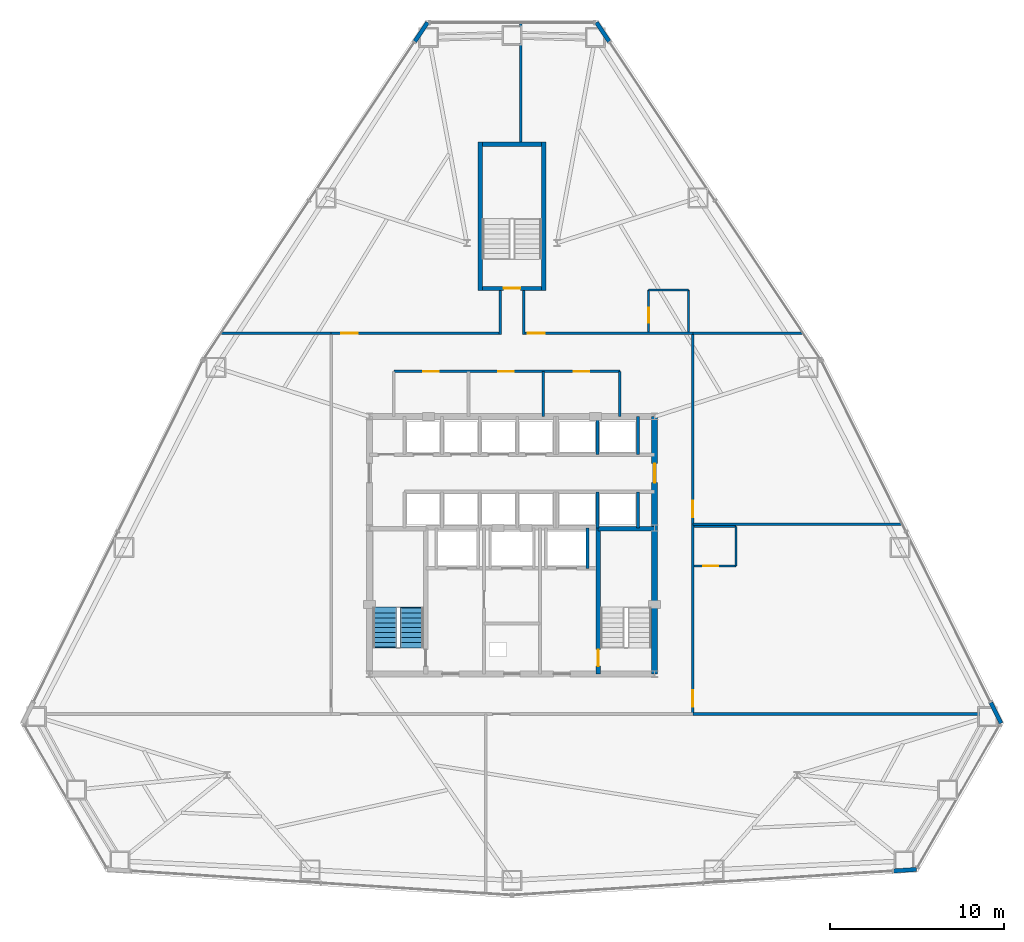
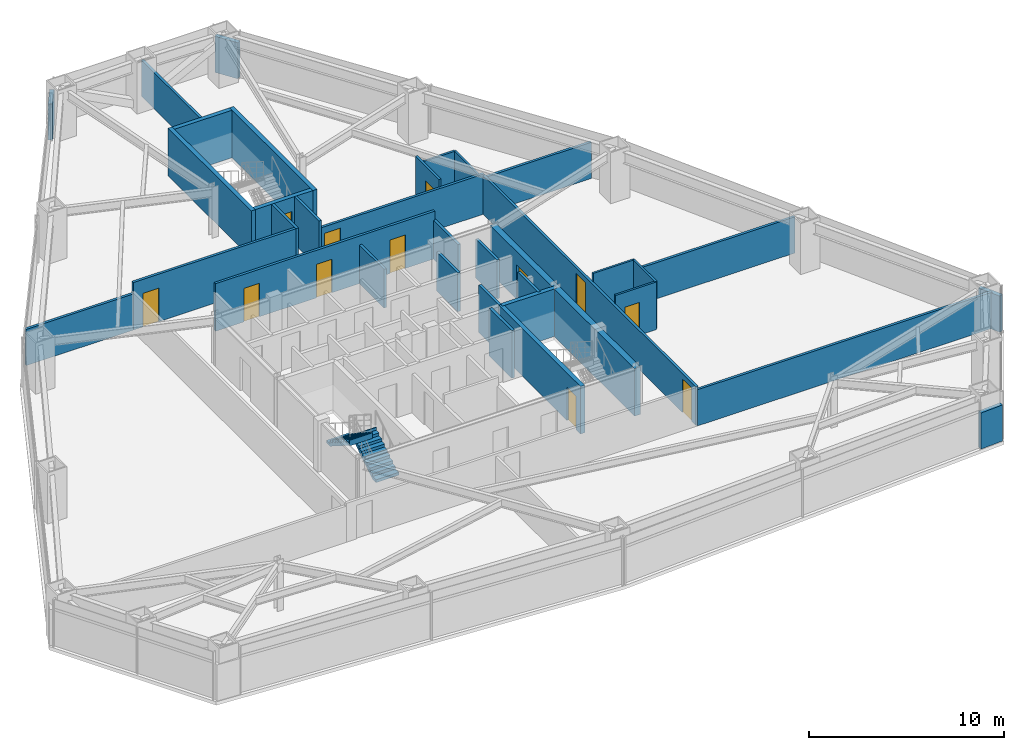
# One storey, part 10 of 12: 35 walls, 12 doors, 2 stair flights, 12 openings, 1 element without a shape of its own.
"""IFC4 building model written with IfcOpenShell, lengths in metres."""

from ifc_helpers import new_model, si_unit, direction, frame, frame_2d, origin, place, context, subcontext, project, spatial, polyline, rectangle, outline, extrude, material, layer, layer_set, type_object, element, fill, aggregate, save


model = new_model("IFC4")

# Units and contexts
model_context = context("Model", 3, precision=1e-05, world=origin(), true_north=direction((0.0, 1.0)))
body_context = subcontext(model_context, "Body", "Model", "MODEL_VIEW")
ifc_project = project(units=[si_unit("LENGTHUNIT", "METRE"), si_unit("AREAUNIT", "SQUARE_METRE"), si_unit("VOLUMEUNIT", "CUBIC_METRE"), si_unit("PLANEANGLEUNIT", "RADIAN"), si_unit("MASSUNIT", "GRAM", prefix="KILO")], contexts=[model_context])

# Site, building, storey
site_placement = place(None, origin())
site = spatial("IfcSite", under=ifc_project, at=site_placement, CompositionType="ELEMENT")
building_placement = place(site_placement, origin())
building = spatial("IfcBuilding", under=site, at=building_placement, Name="Varakhsha Concourse Tower", CompositionType="ELEMENT")
storey_placement = place(building_placement, frame((0.0, 0.0, 62.39990234375)))
storey = spatial("IfcBuildingStorey", under=building, at=storey_placement, Name="L17", CompositionType="ELEMENT", Elevation=62.39990234375)

# Wall, opening, door
ifc_material_1 = material(Name="Concrete fc 65 MPa", Category="concrete")
ifc_layer_1 = layer(ifc_material_1, 0.35009765625, Name="WL-CORE-350")
ifc_layer_set_1 = layer_set([ifc_layer_1], Name="Concrete fc 65 MPa")
wall_type_1 = type_object("IfcWallType", Name="WL-CORE-350", PredefinedType="SHEAR", material=ifc_layer_set_1)
wall_1_placement = place(storey_placement, frame((48.199951171875, 16.39990234375, 0.0), z_axis=(0.0, 0.0, 1.0), x_axis=(0.0, 1.0, 0.0)))
wall_1 = element("IfcWall", 1, at=wall_1_placement, inside=storey, type_object=wall_type_1, Name="L17 Wall CWALL-E-L17", PredefinedType="SHEAR", context=body_context, shape_type="SweptSolid", body=[
    extrude(rectangle(XDim=14.800048828125, YDim=0.35009765625, at=frame_2d((7.39990234375, 0.0))), origin(), (0.0, 0.0, 1.0), 2.97998046875),
])
opening_1_placement = place(wall_1_placement, frame((11.0, 0.0, 0.0)))
opening_1 = element("IfcOpeningElement", 2, at=opening_1_placement, cuts=wall_1, Name="Opening DL-01", PredefinedType="OPENING", context=body_context, shape_type="SweptSolid", body=[
    extrude(rectangle(XDim=1.10009765625, YDim=2.14990234375, at=frame_2d((0.550048828125, 1.074951171875))), frame((0.0, 0.18505859375, 0.0), z_axis=(0.0, -1.0, 0.0), x_axis=(1.0, 0.0, 0.0)), (0.0, 0.0, 1.0), 0.3701171875),
])
ifc_material_2 = material(Name="Anodised Bronze Architectural Aluminium AA 6063-T6", Category="aluminium")
door_type_1 = type_object("IfcDoorType", Name="DR-LOB-1100", OperationType="NOTDEFINED", PredefinedType="DOOR", material=ifc_material_2)
door_1_placement = place(opening_1_placement, origin())
door_1 = element("IfcDoor", 3, at=door_1_placement, inside=storey, type_object=door_type_1, Name="L17 Lift Lobby East Concourse Door", OperationType="SINGLE_SWING_RIGHT", OverallHeight=2.14990234375, OverallWidth=1.10009765625, PredefinedType="DOOR", context=body_context, shape_type="SweptSolid", body=[
    extrude(rectangle(XDim=1.10009765625, YDim=2.14990234375, at=frame_2d((0.550048828125, 1.074951171875))), frame((0.0, 0.02490234375, 0.0), z_axis=(0.0, -1.0, 0.0), x_axis=(1.0, 0.0, 0.0)), (0.0, 0.0, 1.0), 0.050048828125),
])
fill(opening_1, door_1)

# Walls
ifc_material_3 = material(Name="Concrete fc 45 MPa", Category="concrete")
ifc_layer_2 = layer(ifc_material_3, 0.239990234375, Name="WL-EXT-CRN-240")
ifc_layer_set_2 = layer_set([ifc_layer_2], Name="Concrete fc 45 MPa")
wall_type_2 = type_object("IfcWallType", Name="WL-EXT-CRN-240", PredefinedType="SHEAR", material=ifc_layer_set_2)
wall_2_placement = place(storey_placement, frame((35.1435546875, 53.876220703125, 0.0), z_axis=(0.0, 0.0, 1.0), x_axis=(-0.553976279589, -0.832532450811, 0.0)))
element("IfcWall", 4, at=wall_2_placement, inside=storey, type_object=wall_type_2, Name="L17 Wind-Corner Shoulder Wall F2", PredefinedType="SHEAR", context=body_context, shape_type="SweptSolid", body=[
    extrude(rectangle(XDim=1.323486328125, YDim=0.239990234375, at=frame_2d((0.66162109375, 0.0))), origin(), (0.0, 0.0, 1.0), 2.26318359375),
])
wall_3_placement = place(storey_placement, frame((61.951171875, 5.072021484375, 0.0), z_axis=(0.0, 0.0, 1.0), x_axis=(0.997985265632, 0.063446115575, 0.0)))
element("IfcWall", 5, at=wall_3_placement, inside=storey, type_object=wall_type_2, Name="L17 Wind-Corner Shoulder Wall F6", PredefinedType="SHEAR", context=body_context, shape_type="SweptSolid", body=[
    extrude(rectangle(XDim=1.32373046875, YDim=0.239990234375, at=frame_2d((0.661865234375, 0.0))), origin(), (0.0, 0.0, 1.0), 2.26318359375),
])
for number, where, z_axis, x_axis, name in (
    (6, (68.128662109375, 13.56787109375, 0.0), (0.0, 0.0, 1.0), (-0.444037765369, 0.896008070793, 0.0), "L17 Wind-Corner Shoulder Wall F8"),
    (7, (45.589599609375, 52.7744140625, 0.0), (0.0, 0.0, 1.0), (-0.553976279589, 0.832532450811, 0.0), "L17 Wind-Corner Shoulder Wall F9"),
):
    element("IfcWall", number, at=place(storey_placement, frame(where, z_axis=z_axis, x_axis=x_axis)), inside=storey, type_object=wall_type_2, Name=name, PredefinedType="SHEAR", context=body_context, shape_type="SweptSolid", body=[
        extrude(rectangle(XDim=1.323486328125, YDim=0.239990234375, at=frame_2d((0.66162109375, 0.0))), origin(), (0.0, 0.0, 1.0), 2.26318359375),
    ])
ifc_material_4 = material(Name="Acoustic Gypsum Board Partition Assembly", Category="gypsum")
ifc_layer_3 = layer(ifc_material_4, 0.1201171875, Name="WL-PART-120")
ifc_layer_set_3 = layer_set([ifc_layer_3], Name="Acoustic Gypsum Board Partition Assembly")
wall_type_3 = type_object("IfcWallType", Name="WL-PART-120", PredefinedType="PARTITIONING", material=ifc_layer_set_3)
wall_4_placement = place(storey_placement, frame((52.889892578125, 22.610107421875, 0.0), z_axis=(0.0, 0.0, 1.0), x_axis=(0.0, 1.0, 0.0)))
element("IfcWall", 8, at=wall_4_placement, inside=storey, type_object=wall_type_3, Name="L17 Wall ENSW-E-L17-H04", PredefinedType="PARTITIONING", context=body_context, shape_type="SweptSolid", body=[
    extrude(rectangle(XDim=2.27978515625, YDim=0.1201171875, at=frame_2d((1.139892578125, 0.0))), origin(), (0.0, 0.0, 1.0), 2.97998046875),
])

# Wall, opening, door
wall_5_placement = place(storey_placement, frame((50.4599609375, 22.610107421875, 0.0), z_axis=(0.0, 0.0, 1.0), x_axis=(1.0, 0.0, 0.0)))
wall_5 = element("IfcWall", 9, at=wall_5_placement, inside=storey, type_object=wall_type_3, Name="L17 Wall ENSW-S-L17-H04", PredefinedType="PARTITIONING", context=body_context, shape_type="SweptSolid", body=[
    extrude(rectangle(XDim=2.429931640625, YDim=0.1201171875, at=frame_2d((1.21484375, 0.0))), origin(), (0.0, 0.0, 1.0), 2.97998046875),
])
opening_2_placement = place(wall_5_placement, frame((0.550048828125, 0.0, 0.0)))
opening_2 = element("IfcOpeningElement", 10, at=opening_2_placement, cuts=wall_5, Name="Opening DI-01", PredefinedType="OPENING", context=body_context, shape_type="SweptSolid", body=[
    extrude(rectangle(XDim=0.85009765625, YDim=2.050048828125, at=frame_2d((0.425048828125, 1.02490234375))), frame((0.0, 0.070068359375, 0.0), z_axis=(0.0, -1.0, 0.0), x_axis=(1.0, 0.0, 0.0)), (0.0, 0.0, 1.0), 0.14013671875),
])
ifc_material_5 = material(Name="Architectural Walnut Acoustic Timber Door", Category="wood")
door_type_2 = type_object("IfcDoorType", Name="DR-INT-850", OperationType="NOTDEFINED", PredefinedType="DOOR", material=ifc_material_5)
door_2_placement = place(opening_2_placement, origin())
door_2 = element("IfcDoor", 11, at=door_2_placement, inside=storey, type_object=door_type_2, Name="L17 En-suite Bathroom Door L17-H04", OperationType="SINGLE_SWING_RIGHT", OverallHeight=2.050048828125, OverallWidth=0.85009765625, PredefinedType="DOOR", context=body_context, shape_type="SweptSolid", body=[
    extrude(rectangle(XDim=0.85009765625, YDim=2.050048828125, at=frame_2d((0.425048828125, 1.02490234375))), frame((0.0, 0.02490234375, 0.0), z_axis=(0.0, -1.0, 0.0), x_axis=(1.0, 0.0, 0.0)), (0.0, 0.0, 1.0), 0.050048828125),
])
fill(opening_2, door_2)

# Wall
wall_6_placement = place(storey_placement, frame((50.4599609375, 24.889892578125, 0.0), z_axis=(0.0, 0.0, 1.0), x_axis=(1.0, 0.0, 0.0)))
element("IfcWall", 12, at=wall_6_placement, inside=storey, type_object=wall_type_3, Name="L17 Wall ENSW-N-L17-H04", PredefinedType="PARTITIONING", context=body_context, shape_type="SweptSolid", body=[
    extrude(rectangle(XDim=2.429931640625, YDim=0.1201171875, at=frame_2d((1.21484375, 0.0))), origin(), (0.0, 0.0, 1.0), 2.97998046875),
])

# Wall, opening, door
wall_7_placement = place(storey_placement, frame((47.860107421875, 36.06005859375, 0.0), z_axis=(0.0, 0.0, 1.0), x_axis=(0.0, 1.0, 0.0)))
wall_7 = element("IfcWall", 13, at=wall_7_placement, inside=storey, type_object=wall_type_3, Name="L17 Wall ENSW-W-L17-H07", PredefinedType="PARTITIONING", context=body_context, shape_type="SweptSolid", body=[
    extrude(rectangle(XDim=2.429931640625, YDim=0.1201171875, at=frame_2d((1.21484375, 0.0))), origin(), (0.0, 0.0, 1.0), 2.97998046875),
])
opening_3_placement = place(wall_7_placement, frame((0.550048828125, 0.0, 0.0)))
opening_3 = element("IfcOpeningElement", 14, at=opening_3_placement, cuts=wall_7, Name="Opening DI-01", PredefinedType="OPENING", context=body_context, shape_type="SweptSolid", body=[
    extrude(rectangle(XDim=0.85009765625, YDim=2.050048828125, at=frame_2d((0.425048828125, 1.02490234375))), frame((0.0, 0.070068359375, 0.0), z_axis=(0.0, -1.0, 0.0), x_axis=(1.0, 0.0, 0.0)), (0.0, 0.0, 1.0), 0.14013671875),
])
door_3_placement = place(opening_3_placement, origin())
door_3 = element("IfcDoor", 15, at=door_3_placement, inside=storey, type_object=door_type_2, Name="L17 En-suite Bathroom Door L17-H07", OperationType="SINGLE_SWING_RIGHT", OverallHeight=2.050048828125, OverallWidth=0.85009765625, PredefinedType="DOOR", context=body_context, shape_type="SweptSolid", body=[
    extrude(rectangle(XDim=0.85009765625, YDim=2.050048828125, at=frame_2d((0.425048828125, 1.02490234375))), frame((0.0, 0.02490234375, 0.0), z_axis=(0.0, -1.0, 0.0), x_axis=(1.0, 0.0, 0.0)), (0.0, 0.0, 1.0), 0.050048828125),
])
fill(opening_3, door_3)

# Walls
wall_8_placement = place(storey_placement, frame((50.139892578125, 36.06005859375, 0.0), z_axis=(0.0, 0.0, 1.0), x_axis=(0.0, 1.0, 0.0)))
element("IfcWall", 16, at=wall_8_placement, inside=storey, type_object=wall_type_3, Name="L17 Wall ENSW-E-L17-H07", PredefinedType="PARTITIONING", context=body_context, shape_type="SweptSolid", body=[
    extrude(rectangle(XDim=2.429931640625, YDim=0.1201171875, at=frame_2d((1.21484375, 0.0))), origin(), (0.0, 0.0, 1.0), 2.51318359375),
])
wall_9_placement = place(storey_placement, frame((47.860107421875, 38.489990234375, 0.0), z_axis=(0.0, 0.0, 1.0), x_axis=(1.0, 0.0, 0.0)))
element("IfcWall", 17, at=wall_9_placement, inside=storey, type_object=wall_type_3, Name="L17 Wall ENSW-N-L17-H07", PredefinedType="PARTITIONING", context=body_context, shape_type="SweptSolid", body=[
    extrude(rectangle(XDim=2.27978515625, YDim=0.1201171875, at=frame_2d((1.139892578125, 0.0))), origin(), (0.0, 0.0, 1.0), 2.51318359375),
])

# Wall, openings, doors
ifc_material_6 = material(Name="Fire-Rated Type X Gypsum Partition Assembly", Category="gypsum")
ifc_layer_4 = layer(ifc_material_6, 0.14990234375, Name="WL-PART-150")
ifc_layer_set_4 = layer_set([ifc_layer_4], Name="Fire-Rated Type X Gypsum Partition Assembly")
wall_type_4 = type_object("IfcWallType", Name="WL-PART-150", PredefinedType="PARTITIONING", material=ifc_layer_set_4)
wall_10_placement = place(storey_placement, frame((33.199951171875, 33.800048828125, 0.0), z_axis=(0.0, 0.0, 1.0), x_axis=(1.0, 0.0, 0.0)))
wall_10 = element("IfcWall", 18, at=wall_10_placement, inside=storey, type_object=wall_type_4, Name="L17 Wall NBOH-N-L17", PredefinedType="PARTITIONING", context=body_context, shape_type="SweptSolid", body=[
    extrude(rectangle(XDim=13.0, YDim=0.14990234375, at=frame_2d((6.5, 0.0))), origin(), (0.0, 0.0, 1.0), 2.97998046875),
])
opening_4_placement = place(wall_10_placement, frame((1.699951171875, 0.0, 0.0)))
opening_4 = element("IfcOpeningElement", 19, at=opening_4_placement, cuts=wall_10, Name="Opening DF-06", PredefinedType="OPENING", context=body_context, shape_type="SweptSolid", body=[
    extrude(rectangle(XDim=0.89990234375, YDim=2.10009765625, at=frame_2d((0.449951171875, 1.050048828125))), frame((0.0, 0.0849609375, 0.0), z_axis=(0.0, -1.0, 0.0), x_axis=(1.0, 0.0, 0.0)), (0.0, 0.0, 1.0), 0.169921875),
])
opening_5_placement = place(wall_10_placement, frame((6.0, 0.0, 0.0)))
opening_5 = element("IfcOpeningElement", 20, at=opening_5_placement, cuts=wall_10, Name="Opening DF-06", PredefinedType="OPENING", context=body_context, shape_type="SweptSolid", body=[
    extrude(rectangle(XDim=0.89990234375, YDim=2.10009765625, at=frame_2d((0.449951171875, 1.050048828125))), frame((0.0, 0.0849609375, 0.0), z_axis=(0.0, -1.0, 0.0), x_axis=(1.0, 0.0, 0.0)), (0.0, 0.0, 1.0), 0.169921875),
])
opening_6_placement = place(wall_10_placement, frame((10.35009765625, 0.0, 0.0)))
opening_6 = element("IfcOpeningElement", 21, at=opening_6_placement, cuts=wall_10, Name="Opening DF-06", PredefinedType="OPENING", context=body_context, shape_type="SweptSolid", body=[
    extrude(rectangle(XDim=0.89990234375, YDim=2.10009765625, at=frame_2d((0.449951171875, 1.050048828125))), frame((0.0, 0.0849609375, 0.0), z_axis=(0.0, -1.0, 0.0), x_axis=(1.0, 0.0, 0.0)), (0.0, 0.0, 1.0), 0.169921875),
])
ifc_material_7 = material(Name="Hollow Galvanised Steel Fire Door Assembly", Category="steel")
door_type_3 = type_object("IfcDoorType", Name="DR-FD60-900", OperationType="NOTDEFINED", PredefinedType="DOOR", material=ifc_material_7)
door_4_placement = place(opening_4_placement, origin())
door_4 = element("IfcDoor", 22, at=door_4_placement, inside=storey, type_object=door_type_3, Name="L17 Housekeeping and Linen Room Door", OperationType="SINGLE_SWING_LEFT", OverallHeight=2.10009765625, OverallWidth=0.89990234375, PredefinedType="DOOR", context=body_context, shape_type="SweptSolid", body=[
    extrude(rectangle(XDim=0.89990234375, YDim=2.10009765625, at=frame_2d((0.449951171875, 1.050048828125))), frame((0.0, 0.02490234375, 0.0), z_axis=(0.0, -1.0, 0.0), x_axis=(1.0, 0.0, 0.0)), (0.0, 0.0, 1.0), 0.050048828125),
])
fill(opening_4, door_4)
door_5_placement = place(opening_5_placement, origin())
door_5 = element("IfcDoor", 23, at=door_5_placement, inside=storey, type_object=door_type_3, Name="L17 Accessible WC Door", OperationType="SINGLE_SWING_RIGHT", OverallHeight=2.10009765625, OverallWidth=0.89990234375, PredefinedType="DOOR", context=body_context, shape_type="SweptSolid", body=[
    extrude(rectangle(XDim=0.89990234375, YDim=2.10009765625, at=frame_2d((0.449951171875, 1.050048828125))), frame((0.0, 0.02490234375, 0.0), z_axis=(0.0, -1.0, 0.0), x_axis=(1.0, 0.0, 0.0)), (0.0, 0.0, 1.0), 0.050048828125),
])
fill(opening_5, door_5)
door_6_placement = place(opening_6_placement, origin())
door_6 = element("IfcDoor", 24, at=door_6_placement, inside=storey, type_object=door_type_3, Name="L17 Staff Restroom WC Door", OperationType="SINGLE_SWING_LEFT", OverallHeight=2.10009765625, OverallWidth=0.89990234375, PredefinedType="DOOR", context=body_context, shape_type="SweptSolid", body=[
    extrude(rectangle(XDim=0.89990234375, YDim=2.10009765625, at=frame_2d((0.449951171875, 1.050048828125))), frame((0.0, 0.02490234375, 0.0), z_axis=(0.0, -1.0, 0.0), x_axis=(1.0, 0.0, 0.0)), (0.0, 0.0, 1.0), 0.050048828125),
])
fill(opening_6, door_6)

# Walls
for number, where, z_axis, x_axis, name in (
    (25, (46.199951171875, 31.199951171875, 0.0), (0.0, 0.0, 1.0), (0.0, 1.0, 0.0), "L17 Wall NBOH-E-L17"),
    (26, (41.800048828125, 31.199951171875, 0.0), (0.0, 0.0, 1.0), (0.0, 1.0, 0.0), "L17 Wall NBOH-D2-L17"),
):
    element("IfcWall", number, at=place(storey_placement, frame(where, z_axis=z_axis, x_axis=x_axis)), inside=storey, type_object=wall_type_4, Name=name, PredefinedType="PARTITIONING", context=body_context, shape_type="SweptSolid", body=[
        extrude(rectangle(XDim=2.60009765625, YDim=0.14990234375, at=frame_2d((1.300048828125, 0.0))), origin(), (0.0, 0.0, 1.0), 2.43115234375),
    ])

# Wall, opening, door
wall_11_placement = place(storey_placement, frame((29.60009765625, 36.0, 0.0), z_axis=(0.0, 0.0, 1.0), x_axis=(1.0, 0.0, 0.0)))
wall_11 = element("IfcWall", 27, at=wall_11_placement, inside=storey, type_object=wall_type_4, Name="L17 Wall CRW-N-L17", PredefinedType="PARTITIONING", context=body_context, shape_type="SweptSolid", body=[
    extrude(rectangle(XDim=9.64990234375, YDim=0.14990234375, at=frame_2d((4.824951171875, 0.0))), origin(), (0.0, 0.0, 1.0), 2.97998046875),
])
opening_7_placement = place(wall_11_placement, frame((0.570068359375, 0.0, 0.0)))
opening_7 = element("IfcOpeningElement", 28, at=opening_7_placement, cuts=wall_11, Name="Opening DF-05", PredefinedType="OPENING", context=body_context, shape_type="SweptSolid", body=[
    extrude(rectangle(XDim=0.949951171875, YDim=2.10009765625, at=frame_2d((0.47509765625, 1.050048828125))), frame((0.0, 0.0849609375, 0.0), z_axis=(0.0, -1.0, 0.0), x_axis=(1.0, 0.0, 0.0)), (0.0, 0.0, 1.0), 0.169921875),
])
door_type_4 = type_object("IfcDoorType", Name="DR-FD60-950", OperationType="NOTDEFINED", PredefinedType="DOOR", material=ifc_material_7)
door_7_placement = place(opening_7_placement, origin())
door_7 = element("IfcDoor", 29, at=door_7_placement, inside=storey, type_object=door_type_4, Name="L17 Hotel Executive Salon L17-H06 Door", OperationType="SINGLE_SWING_RIGHT", OverallHeight=2.10009765625, OverallWidth=0.949951171875, PredefinedType="DOOR", context=body_context, shape_type="SweptSolid", body=[
    extrude(rectangle(XDim=0.949951171875, YDim=2.10009765625, at=frame_2d((0.47509765625, 1.050048828125))), frame((0.0, 0.02490234375, 0.0), z_axis=(0.0, -1.0, 0.0), x_axis=(1.0, 0.0, 0.0)), (0.0, 0.0, 1.0), 0.050048828125),
])
fill(opening_7, door_7)

wall_12_placement = place(storey_placement, frame((40.75, 36.0, 0.0), z_axis=(0.0, 0.0, 1.0), x_axis=(1.0, 0.0, 0.0)))
wall_12 = element("IfcWall", 30, at=wall_12_placement, inside=storey, type_object=wall_type_4, Name="L17 Wall CRW-N-L17-B", PredefinedType="PARTITIONING", context=body_context, shape_type="SweptSolid", body=[
    extrude(rectangle(XDim=9.64990234375, YDim=0.14990234375, at=frame_2d((4.824951171875, 0.0))), origin(), (0.0, 0.0, 1.0), 2.51318359375),
])
opening_8_placement = place(wall_12_placement, frame((0.169921875, 0.0, 0.0)))
opening_8 = element("IfcOpeningElement", 31, at=opening_8_placement, cuts=wall_12, Name="Opening DF-05", PredefinedType="OPENING", context=body_context, shape_type="SweptSolid", body=[
    extrude(rectangle(XDim=0.949951171875, YDim=2.10009765625, at=frame_2d((0.47509765625, 1.050048828125))), frame((0.0, 0.0849609375, 0.0), z_axis=(0.0, -1.0, 0.0), x_axis=(1.0, 0.0, 0.0)), (0.0, 0.0, 1.0), 0.169921875),
])
door_8_placement = place(opening_8_placement, origin())
door_8 = element("IfcDoor", 32, at=door_8_placement, inside=storey, type_object=door_type_4, Name="L17 Hotel Corner Suite L17-H07 Entry Door", OperationType="SINGLE_SWING_LEFT", OverallHeight=2.10009765625, OverallWidth=0.949951171875, PredefinedType="DOOR", context=body_context, shape_type="SweptSolid", body=[
    extrude(rectangle(XDim=0.949951171875, YDim=2.10009765625, at=frame_2d((0.47509765625, 1.050048828125))), frame((0.0, 0.02490234375, 0.0), z_axis=(0.0, -1.0, 0.0), x_axis=(1.0, 0.0, 0.0)), (0.0, 0.0, 1.0), 0.050048828125),
])
fill(opening_8, door_8)

# Wall, openings, doors
wall_13_placement = place(storey_placement, frame((50.39990234375, 14.10009765625, 0.0), z_axis=(0.0, 0.0, 1.0), x_axis=(0.0, 1.0, 0.0)))
wall_13 = element("IfcWall", 33, at=wall_13_placement, inside=storey, type_object=wall_type_4, Name="L17 Wall CRW-E-L17", PredefinedType="PARTITIONING", context=body_context, shape_type="SweptSolid", body=[
    extrude(rectangle(XDim=21.89990234375, YDim=0.14990234375, at=frame_2d((10.949951171875, 0.0))), origin(), (0.0, 0.0, 1.0), 2.43115234375),
])
opening_9_placement = place(wall_13_placement, frame((0.419921875, 0.0, 0.0)))
opening_9 = element("IfcOpeningElement", 34, at=opening_9_placement, cuts=wall_13, Name="Opening DF-05", PredefinedType="OPENING", context=body_context, shape_type="SweptSolid", body=[
    extrude(rectangle(XDim=0.949951171875, YDim=2.10009765625, at=frame_2d((0.47509765625, 1.050048828125))), frame((0.0, 0.0849609375, 0.0), z_axis=(0.0, -1.0, 0.0), x_axis=(1.0, 0.0, 0.0)), (0.0, 0.0, 1.0), 0.169921875),
])
opening_10_placement = place(wall_13_placement, frame((11.320068359375, 0.0, 0.0)))
opening_10 = element("IfcOpeningElement", 35, at=opening_10_placement, cuts=wall_13, Name="Opening DF-05", PredefinedType="OPENING", context=body_context, shape_type="SweptSolid", body=[
    extrude(rectangle(XDim=0.949951171875, YDim=2.10009765625, at=frame_2d((0.47509765625, 1.050048828125))), frame((0.0, 0.0849609375, 0.0), z_axis=(0.0, -1.0, 0.0), x_axis=(1.0, 0.0, 0.0)), (0.0, 0.0, 1.0), 0.169921875),
])
door_9_placement = place(opening_9_placement, origin())
door_9 = element("IfcDoor", 36, at=door_9_placement, inside=storey, type_object=door_type_4, Name="L17 Hotel Corner Suite L17-H04 Entry Door", OperationType="SINGLE_SWING_RIGHT", OverallHeight=2.10009765625, OverallWidth=0.949951171875, PredefinedType="DOOR", context=body_context, shape_type="SweptSolid", body=[
    extrude(rectangle(XDim=0.949951171875, YDim=2.10009765625, at=frame_2d((0.47509765625, 1.050048828125))), frame((0.0, 0.02490234375, 0.0), z_axis=(0.0, -1.0, 0.0), x_axis=(1.0, 0.0, 0.0)), (0.0, 0.0, 1.0), 0.050048828125),
])
fill(opening_9, door_9)
door_10_placement = place(opening_10_placement, origin())
door_10 = element("IfcDoor", 37, at=door_10_placement, inside=storey, type_object=door_type_4, Name="L17 Diplomatic Conservatory Salon L17-H05 Door", OperationType="SINGLE_SWING_LEFT", OverallHeight=2.10009765625, OverallWidth=0.949951171875, PredefinedType="DOOR", context=body_context, shape_type="SweptSolid", body=[
    extrude(rectangle(XDim=0.949951171875, YDim=2.10009765625, at=frame_2d((0.47509765625, 1.050048828125))), frame((0.0, 0.02490234375, 0.0), z_axis=(0.0, -1.0, 0.0), x_axis=(1.0, 0.0, 0.0)), (0.0, 0.0, 1.0), 0.050048828125),
])
fill(opening_10, door_10)

# Walls
wall_14_placement = place(storey_placement, frame((23.25732421875, 36.0, 0.0), z_axis=(0.0, 0.0, 1.0), x_axis=(1.0, 0.0, 0.0)))
element("IfcWall", 38, at=wall_14_placement, inside=storey, type_object=wall_type_4, Name="L17 Wall HDIV-WBN-L17", PredefinedType="PARTITIONING", context=body_context, shape_type="SweptSolid", body=[
    extrude(rectangle(XDim=6.3427734375, YDim=0.14990234375, at=frame_2d((3.17138671875, 0.0))), origin(), (0.0, 0.0, 1.0), 2.26806640625),
])
wall_15_placement = place(storey_placement, frame((50.39990234375, 14.10009765625, 0.0), z_axis=(0.0, 0.0, 1.0), x_axis=(1.0, 0.0, 0.0)))
element("IfcWall", 39, at=wall_15_placement, inside=storey, type_object=wall_type_4, Name="L17 Wall HDIV-EB0-L17", PredefinedType="PARTITIONING", context=body_context, shape_type="SweptSolid", body=[
    extrude(rectangle(XDim=17.45947265625, YDim=0.14990234375, at=frame_2d((8.729736328125, 0.0))), origin(), (0.0, 0.0, 1.0), 2.26806640625),
])
wall_16_placement = place(storey_placement, frame((50.39990234375, 36.0, 0.0), z_axis=(0.0, 0.0, 1.0), x_axis=(1.0, 0.0, 0.0)))
element("IfcWall", 40, at=wall_16_placement, inside=storey, type_object=wall_type_4, Name="L17 Wall HDIV-EBN-L17", PredefinedType="PARTITIONING", context=body_context, shape_type="SweptSolid", body=[
    extrude(rectangle(XDim=6.3427734375, YDim=0.14990234375, at=frame_2d((3.17138671875, 0.0))), origin(), (0.0, 0.0, 1.0), 2.26806640625),
])
wall_17_placement = place(storey_placement, frame((50.39990234375, 25.0, 0.0), z_axis=(0.0, 0.0, 1.0), x_axis=(1.0, 0.0, 0.0)))
element("IfcWall", 41, at=wall_17_placement, inside=storey, type_object=wall_type_4, Name="L17 Wall HDIV-E1-L17", PredefinedType="PARTITIONING", context=body_context, shape_type="SweptSolid", body=[
    extrude(rectangle(XDim=12.056396484375, YDim=0.14990234375, at=frame_2d((6.0283203125, 0.0))), origin(), (0.0, 0.0, 1.0), 2.26806640625),
])
wall_18_placement = place(storey_placement, frame((40.5, 47.0, 0.0), z_axis=(0.0, 0.0, 1.0), x_axis=(0.0, 1.0, 0.0)))
element("IfcWall", 42, at=wall_18_placement, inside=storey, type_object=wall_type_4, Name="L17 Wall HDIV-N1-L17", PredefinedType="PARTITIONING", context=body_context, shape_type="SweptSolid", body=[
    extrude(rectangle(XDim=6.84912109375, YDim=0.14990234375, at=frame_2d((3.424560546875, 0.0))), origin(), (0.0, 0.0, 1.0), 2.26806640625),
])
for number, where, z_axis, x_axis, name in (
    (43, (39.324951171875, 35.925048828125, 0.0), (0.0, 0.0, 1.0), (0.0, 1.0, 0.0), "L17 Wall STUB-W-L17"),
    (44, (40.675048828125, 35.925048828125, 0.0), (0.0, 0.0, 1.0), (0.0, 1.0, 0.0), "L17 Wall STUB-E-L17"),
):
    element("IfcWall", number, at=place(storey_placement, frame(where, z_axis=z_axis, x_axis=x_axis)), inside=storey, type_object=wall_type_4, Name=name, PredefinedType="PARTITIONING", context=body_context, shape_type="SweptSolid", body=[
        extrude(rectangle(XDim=2.52490234375, YDim=0.14990234375, at=frame_2d((1.262451171875, 0.0))), origin(), (0.0, 0.0, 1.0), 2.97998046875),
    ])
ifc_layer_5 = layer(ifc_material_6, 0.199951171875, Name="WL-SHAFT-220")
ifc_layer_set_5 = layer_set([ifc_layer_5], Name="Fire-Rated Type X Gypsum Partition Assembly")
wall_type_5 = type_object("IfcWallType", Name="WL-SHAFT-220", PredefinedType="SOLIDWALL", material=ifc_layer_set_5)
wall_19_placement = place(storey_placement, frame((44.35009765625, 22.47998046875, 0.0), z_axis=(0.0, 0.0, 1.0), x_axis=(0.0, 1.0, 0.0)))
element("IfcWall", 45, at=wall_19_placement, inside=storey, type_object=wall_type_5, Name="L17 Wall SHW-FFL-2-E-L17", PredefinedType="SOLIDWALL", context=body_context, shape_type="SweptSolid", body=[
    extrude(rectangle(XDim=2.320068359375, YDim=0.159912109375, at=frame_2d((1.16015625, 0.0))), origin(), (0.0, 0.0, 1.0), 2.97998046875),
])
for number, where, z_axis, x_axis, name in (
    (46, (44.919921875, 29.02001953125, 0.0), (0.0, 0.0, 1.0), (0.0, 1.0, 0.0), "L17 Wall SHW-LF-P09-E-L17"),
    (47, (47.239990234375, 29.02001953125, 0.0), (0.0, 0.0, 1.0), (0.0, 1.0, 0.0), "L17 Wall SHW-LF-P10-E-L17"),
):
    element("IfcWall", number, at=place(storey_placement, frame(where, z_axis=z_axis, x_axis=x_axis)), inside=storey, type_object=wall_type_5, Name=name, PredefinedType="SOLIDWALL", context=body_context, shape_type="SweptSolid", body=[
        extrude(rectangle(XDim=2.179931640625, YDim=0.159912109375, at=frame_2d((1.08984375, 0.0))), origin(), (0.0, 0.0, 1.0), 2.43115234375),
    ])
for number, where, z_axis, x_axis, name in (
    (48, (44.919921875, 24.800048828125, 0.0), (0.0, 0.0, 1.0), (0.0, 1.0, 0.0), "L17 Wall SHW-LF-P11-E-L17"),
    (49, (47.239990234375, 24.800048828125, 0.0), (0.0, 0.0, 1.0), (0.0, 1.0, 0.0), "L17 Wall SHW-LF-P12-E-L17"),
):
    element("IfcWall", number, at=place(storey_placement, frame(where, z_axis=z_axis, x_axis=x_axis)), inside=storey, type_object=wall_type_5, Name=name, PredefinedType="SOLIDWALL", context=body_context, shape_type="SweptSolid", body=[
        extrude(rectangle(XDim=2.079833984375, YDim=0.159912109375, at=frame_2d((1.0400390625, 0.0))), origin(), (0.0, 0.0, 1.0), 2.97998046875),
    ])

# Wall, opening, door
ifc_layer_6 = layer(ifc_material_3, 0.25, Name="WL-STAIR-250")
ifc_layer_set_6 = layer_set([ifc_layer_6], Name="Concrete fc 45 MPa")
wall_type_6 = type_object("IfcWallType", Name="WL-STAIR-250", PredefinedType="SHEAR", material=ifc_layer_set_6)
wall_20_placement = place(storey_placement, frame((44.955078125, 16.39990234375, 0.0), z_axis=(0.0, 0.0, 1.0), x_axis=(0.0, 1.0, 0.0)))
wall_20 = element("IfcWall", 50, at=wall_20_placement, inside=storey, type_object=wall_type_6, Name="L17 Wall SWALL-ST2-W-L17", PredefinedType="SHEAR", context=body_context, shape_type="SweptSolid", body=[
    extrude(rectangle(XDim=8.400146484375, YDim=0.25, at=frame_2d((4.2001953125, 0.0))), origin(), (0.0, 0.0, 1.0), 2.97998046875),
])
opening_11_placement = place(wall_20_placement, frame((0.449951171875, 0.0, 0.0)))
opening_11 = element("IfcOpeningElement", 51, at=opening_11_placement, cuts=wall_20, Name="Opening DF-03", PredefinedType="OPENING", context=body_context, shape_type="SweptSolid", body=[
    extrude(rectangle(XDim=0.949951171875, YDim=2.10009765625, at=frame_2d((0.47509765625, 1.050048828125))), frame((0.0, 0.135009765625, 0.0), z_axis=(0.0, -1.0, 0.0), x_axis=(1.0, 0.0, 0.0)), (0.0, 0.0, 1.0), 0.27001953125),
])
door_type_5 = type_object("IfcDoorType", Name="DR-FD90-950", OperationType="NOTDEFINED", PredefinedType="DOOR", material=ifc_material_7)
door_11_placement = place(opening_11_placement, origin())
door_11 = element("IfcDoor", 52, at=door_11_placement, inside=storey, type_object=door_type_5, Name="L17 Stair ST2 Fire Door", OperationType="SINGLE_SWING_RIGHT", OverallHeight=2.10009765625, OverallWidth=0.949951171875, PredefinedType="DOOR", context=body_context, shape_type="SweptSolid", body=[
    extrude(rectangle(XDim=0.949951171875, YDim=2.10009765625, at=frame_2d((0.47509765625, 1.050048828125))), frame((0.0, 0.02490234375, 0.0), z_axis=(0.0, -1.0, 0.0), x_axis=(1.0, 0.0, 0.0)), (0.0, 0.0, 1.0), 0.050048828125),
])
fill(opening_11, door_11)

# Walls
wall_21_placement = place(storey_placement, frame((44.955078125, 24.7548828125, 0.0), z_axis=(0.0, 0.0, 1.0), x_axis=(1.0, 0.0, 0.0)))
element("IfcWall", 53, at=wall_21_placement, inside=storey, type_object=wall_type_6, Name="L17 Wall SWALL-ST2-N-L17", PredefinedType="SHEAR", context=body_context, shape_type="SweptSolid", body=[
    extrude(rectangle(XDim=3.244873046875, YDim=0.25, at=frame_2d((1.62255859375, 0.0))), origin(), (0.0, 0.0, 1.0), 2.97998046875),
])
for number, where, z_axis, x_axis, name in (
    (54, (38.175048828125, 38.449951171875, 0.0), (0.0, 0.0, 1.0), (0.0, 1.0, 0.0), "L17 Wall SWALL-ST5-W-L17"),
    (55, (41.824951171875, 38.449951171875, 0.0), (0.0, 0.0, 1.0), (0.0, 1.0, 0.0), "L17 Wall SWALL-ST5-E-L17"),
):
    element("IfcWall", number, at=place(storey_placement, frame(where, z_axis=z_axis, x_axis=x_axis)), inside=storey, type_object=wall_type_6, Name=name, PredefinedType="SHEAR", context=body_context, shape_type="SweptSolid", body=[
        extrude(rectangle(XDim=8.550048828125, YDim=0.25, at=frame_2d((4.27490234375, 0.0))), origin(), (0.0, 0.0, 1.0), 2.97998046875),
    ])

# Wall, opening, door
wall_22_placement = place(storey_placement, frame((38.300048828125, 38.574951171875, 0.0), z_axis=(0.0, 0.0, 1.0), x_axis=(1.0, 0.0, 0.0)))
wall_22 = element("IfcWall", 56, at=wall_22_placement, inside=storey, type_object=wall_type_6, Name="L17 Wall SWALL-ST5-S-L17", PredefinedType="SHEAR", context=body_context, shape_type="SweptSolid", body=[
    extrude(rectangle(XDim=3.39990234375, YDim=0.25, at=frame_2d((1.699951171875, 0.0))), origin(), (0.0, 0.0, 1.0), 2.97998046875),
])
opening_12_placement = place(wall_22_placement, frame((1.22509765625, 0.0, 0.0)))
opening_12 = element("IfcOpeningElement", 57, at=opening_12_placement, cuts=wall_22, Name="Opening DF-03", PredefinedType="OPENING", context=body_context, shape_type="SweptSolid", body=[
    extrude(rectangle(XDim=0.949951171875, YDim=2.10009765625, at=frame_2d((0.47509765625, 1.050048828125))), frame((0.0, 0.135009765625, 0.0), z_axis=(0.0, -1.0, 0.0), x_axis=(1.0, 0.0, 0.0)), (0.0, 0.0, 1.0), 0.27001953125),
])
door_12_placement = place(opening_12_placement, origin())
door_12 = element("IfcDoor", 58, at=door_12_placement, inside=storey, type_object=door_type_5, Name="L17 Stair ST5 Fire Door", OperationType="SINGLE_SWING_RIGHT", OverallHeight=2.10009765625, OverallWidth=0.949951171875, PredefinedType="DOOR", context=body_context, shape_type="SweptSolid", body=[
    extrude(rectangle(XDim=0.949951171875, YDim=2.10009765625, at=frame_2d((0.47509765625, 1.050048828125))), frame((0.0, 0.02490234375, 0.0), z_axis=(0.0, -1.0, 0.0), x_axis=(1.0, 0.0, 0.0)), (0.0, 0.0, 1.0), 0.050048828125),
])
fill(opening_12, door_12)

# Wall
wall_23_placement = place(storey_placement, frame((38.300048828125, 46.875, 0.0), z_axis=(0.0, 0.0, 1.0), x_axis=(1.0, 0.0, 0.0)))
element("IfcWall", 59, at=wall_23_placement, inside=storey, type_object=wall_type_6, Name="L17 Wall SWALL-ST5-N-L17", PredefinedType="SHEAR", context=body_context, shape_type="SweptSolid", body=[
    extrude(rectangle(XDim=3.39990234375, YDim=0.25, at=frame_2d((1.699951171875, 0.0))), origin(), (0.0, 0.0, 1.0), 2.97998046875),
])

# Stair, stair flights
stair_type = type_object("IfcStairType", Name="ST-DOGLEG-1360", PredefinedType="HALF_TURN_STAIR", material=ifc_material_3)
stair_placement = place(storey_placement, origin())
stair = element("IfcStair", 60, at=stair_placement, inside=storey, type_object=stair_type, Name="L17 Protected Exit Stair ST1", PredefinedType="HALF_TURN_STAIR")
stair_flight_type = type_object("IfcStairFlightType", Name="STF-1360-R1778", PredefinedType="STRAIGHT", material=ifc_material_3)
stair_flight_1_placement = place(storey_placement, frame((34.239990234375, 17.93994140625, 0.0), z_axis=(0.0, 0.0, 1.0), x_axis=(0.0, 1.0, 0.0)))
stair_flight_1 = element("IfcStairFlight", 61, at=stair_flight_1_placement, type_object=stair_flight_type, Name="ST1 flight 1", NumberOfRisers=9, NumberOfTreads=8, PredefinedType="STRAIGHT", RiserHeight=0.177777778, TreadLength=0.28, context=body_context, shape_type="SweptSolid", body=[
    extrude(outline(polyline([(-0.06005859375, 0.0), (-0.06005859375, 0.177734375), (0.0, 0.177734375), (0.280029296875, 0.177734375), (0.280029296875, 0.35546875), (0.56005859375, 0.35546875), (0.56005859375, 0.533447265625), (0.840087890625, 0.533447265625), (0.840087890625, 0.711181640625), (1.1201171875, 0.711181640625), (1.1201171875, 0.888916015625), (1.39990234375, 0.888916015625), (1.39990234375, 1.066650390625), (1.679931640625, 1.066650390625), (1.679931640625, 1.244384765625), (1.9599609375, 1.244384765625), (1.9599609375, 1.422119140625), (2.239990234375, 1.422119140625), (2.239990234375, 1.60009765625), (2.300048828125, 1.60009765625), (2.300048828125, 1.24462890625), (2.239990234375, 1.24462890625), (0.27978515625, 0.0), (-0.06005859375, 0.0)])), frame((0.0, 0.68017578125, 0.0), z_axis=(0.0, -1.0, 0.0), x_axis=(1.0, 0.0, 0.0)), (0.0, 0.0, 1.0), 1.360107421875),
])
stair_flight_2_placement = place(storey_placement, frame((32.679931640625, 20.179931640625, 1.60009765625), z_axis=(0.0, 0.0, 1.0), x_axis=(0.0, -1.0, 0.0)))
stair_flight_2 = element("IfcStairFlight", 62, at=stair_flight_2_placement, type_object=stair_flight_type, Name="ST1 flight 2", NumberOfRisers=9, NumberOfTreads=8, PredefinedType="STRAIGHT", RiserHeight=0.177777778, TreadLength=0.28, context=body_context, shape_type="SweptSolid", body=[
    extrude(outline(polyline([(-0.06005859375, 0.0), (-0.06005859375, 0.177734375), (0.0, 0.177734375), (0.280029296875, 0.177734375), (0.280029296875, 0.35546875), (0.56005859375, 0.35546875), (0.56005859375, 0.533447265625), (0.840087890625, 0.533447265625), (0.840087890625, 0.711181640625), (1.1201171875, 0.711181640625), (1.1201171875, 0.888916015625), (1.39990234375, 0.888916015625), (1.39990234375, 1.066650390625), (1.679931640625, 1.066650390625), (1.679931640625, 1.244384765625), (1.9599609375, 1.244384765625), (1.9599609375, 1.422119140625), (2.239990234375, 1.422119140625), (2.239990234375, 1.60009765625), (2.300048828125, 1.60009765625), (2.300048828125, 1.24462890625), (2.239990234375, 1.24462890625), (0.27978515625, 0.0), (-0.06005859375, 0.0)])), frame((0.0, 0.68017578125, 0.0), z_axis=(0.0, -1.0, 0.0), x_axis=(1.0, 0.0, 0.0)), (0.0, 0.0, 1.0), 1.360107421875),
])
aggregate(stair, [stair_flight_1, stair_flight_2])

save(model, "model.ifc")
